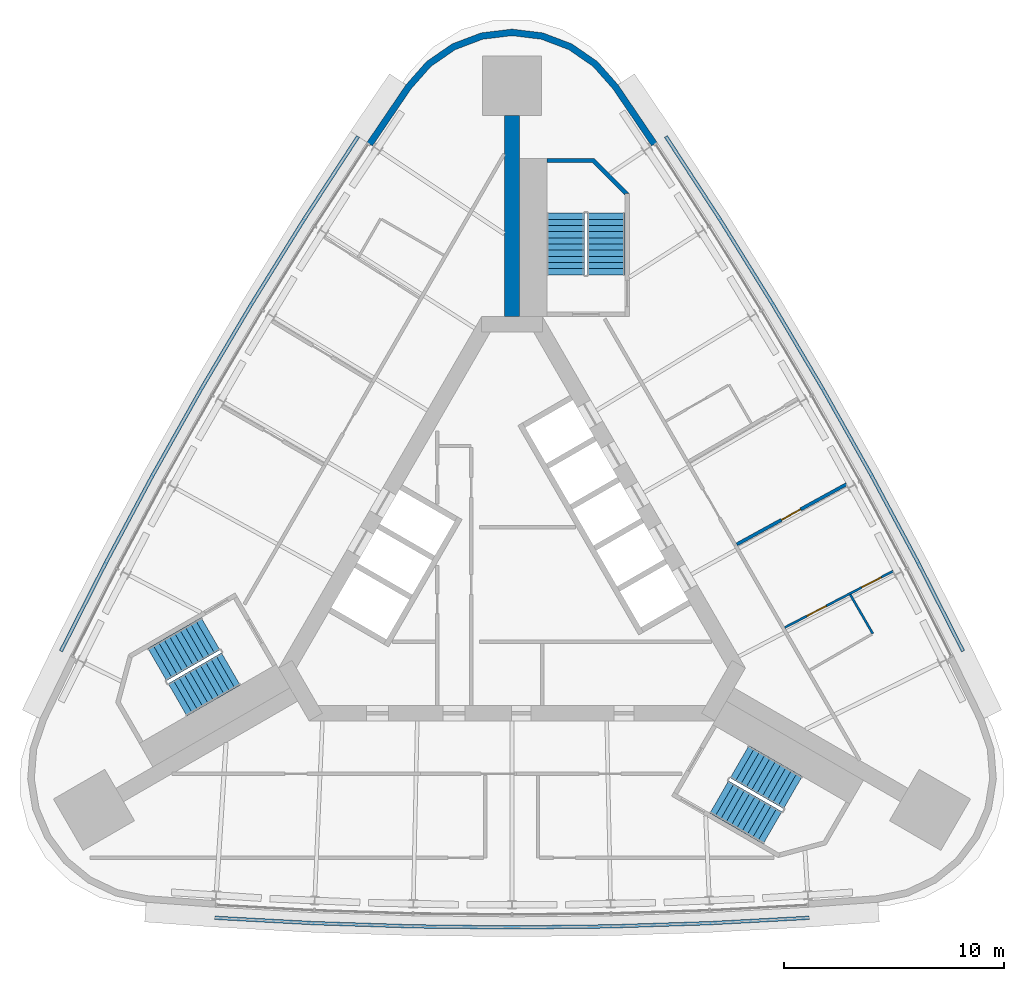
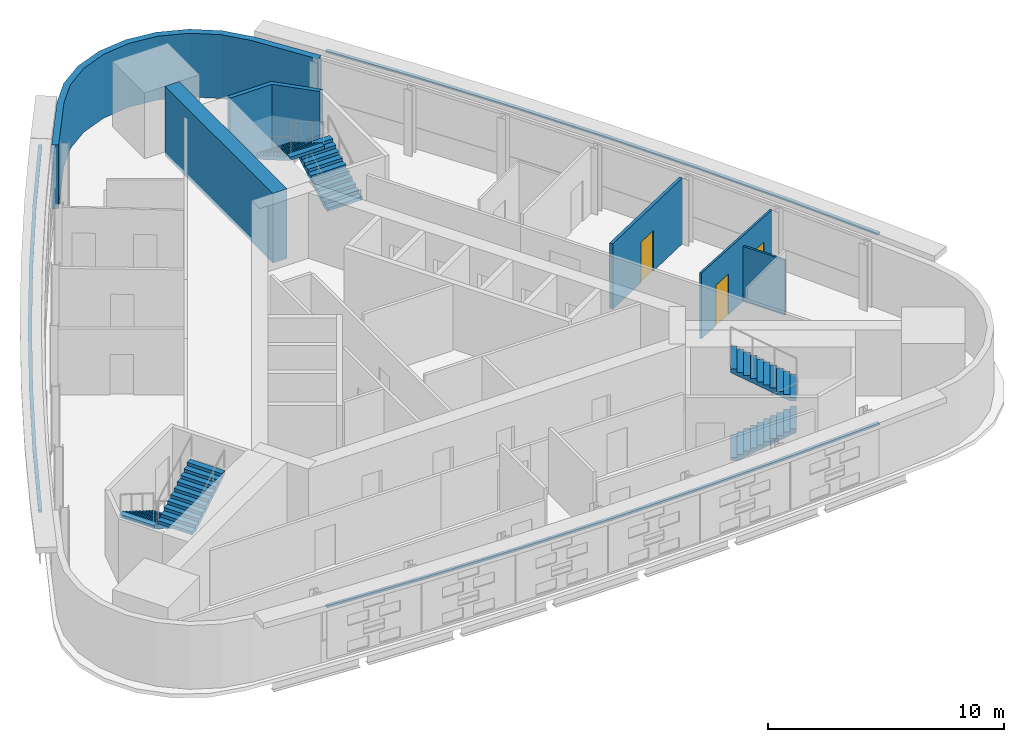
# One storey, part 9 of 10: 6 stair flights, 6 walls, 3 discrete accessories, 3 doors, 3 openings, 3 elements without a shape of their own.
"""IFC4 building model written with IfcOpenShell, lengths in metres."""

from ifc_helpers import new_model, si_unit, direction, frame, frame_2d, origin, place, context, subcontext, project, spatial, polyline, rectangle, outline, extrude, material, layer, layer_set, type_object, element, fill, aggregate, save


model = new_model("IFC4")

# Units and contexts
model_context = context("Model", 3, precision=1e-05, world=origin(), true_north=direction((0.0, 1.0)))
body_context = subcontext(model_context, "Body", "Model", "MODEL_VIEW")
ifc_project = project(units=[si_unit("LENGTHUNIT", "METRE"), si_unit("AREAUNIT", "SQUARE_METRE"), si_unit("VOLUMEUNIT", "CUBIC_METRE"), si_unit("PLANEANGLEUNIT", "RADIAN"), si_unit("MASSUNIT", "GRAM", prefix="KILO")], contexts=[model_context])

# Site, building, storey
site_placement = place(None, origin())
site = spatial("IfcSite", under=ifc_project, at=site_placement, CompositionType="ELEMENT")
building_placement = place(site_placement, origin())
building = spatial("IfcBuilding", under=site, at=building_placement, Name="Noor Cloister Tower", CompositionType="ELEMENT")
storey_placement = place(building_placement, frame((0.0, 0.0, 192.300048828125)))
storey = spatial("IfcBuildingStorey", under=building, at=storey_placement, Name="L49", CompositionType="ELEMENT", Elevation=192.300048828125)

# Wall
ifc_material_1 = material(Name="Concrete C70/85", Category="concrete")
ifc_layer_1 = layer(ifc_material_1, 0.699951171875)
ifc_layer_set_1 = layer_set([ifc_layer_1], Name="Buttress wall 700 C70/85")
wall_type_1 = type_object("IfcWallType", Name="Buttress wall 700 C70/85", PredefinedType="SHEAR", material=ifc_layer_set_1)
wall_1_placement = place(storey_placement, frame((0.0, 11.456298828125, -0.199951171875), z_axis=(0.0, 0.0, 1.0), x_axis=(0.0, 1.0, 0.0)))
element("IfcWall", 1, at=wall_1_placement, inside=storey, type_object=wall_type_1, Name="Buttress wall N L49", PredefinedType="SHEAR", context=body_context, shape_type="SweptSolid", body=[
    extrude(rectangle(XDim=9.144775390625, YDim=0.699951171875, at=frame_2d((4.572265625, 0.0))), origin(), (0.0, 0.0, 1.0), 3.599853515625),
])

# Wall, opening, door
ifc_material_2 = material(Name="Gypsum board partition on steel studs, 150 mm", Category="steel")
ifc_layer_2 = layer(ifc_material_2, 0.14990234375)
ifc_layer_set_2 = layer_set([ifc_layer_2], Name="Flat wall 150")
wall_type_2 = type_object("IfcWallType", Name="Flat wall 150", PredefinedType="PARTITIONING", material=ifc_layer_set_2)
wall_2_placement = place(storey_placement, frame((15.215576171875, 3.83740234375, 0.0), z_axis=(0.0, 0.0, 1.0), x_axis=(-0.876645576733, -0.48113670905, 0.0)))
wall_2 = element("IfcWall", 2, at=wall_2_placement, inside=storey, type_object=wall_type_2, Name="Wall L49-W03", PredefinedType="PARTITIONING", context=body_context, shape_type="SweptSolid", body=[
    extrude(rectangle(XDim=5.69384765625, YDim=0.14990234375, at=frame_2d((2.846923828125, 0.0))), origin(), (0.0, 0.0, 1.0), 3.39990234375),
])
opening_1_placement = place(wall_2_placement, frame((2.384521484375, 0.0, 0.0)))
opening_1 = element("IfcOpeningElement", 3, at=opening_1_placement, cuts=wall_2, Name="Opening L49-004", PredefinedType="OPENING", context=body_context, shape_type="SweptSolid", body=[
    extrude(rectangle(XDim=1.0, YDim=2.10009765625, at=frame_2d((0.5, 1.050048828125))), frame((0.0, 0.0849609375, 0.0), z_axis=(0.0, -1.0, 0.0), x_axis=(1.0, 0.0, 0.0)), (0.0, 0.0, 1.0), 0.169921875),
])
ifc_material_3 = material(Name="Timber door leaf with steel frame", Category="steel")
door_type_1 = type_object("IfcDoorType", Name="Flat entrance door 1000", OperationType="NOTDEFINED", PredefinedType="DOOR", material=ifc_material_3)
door_1_placement = place(opening_1_placement, origin())
door_1 = element("IfcDoor", 4, at=door_1_placement, inside=storey, type_object=door_type_1, Name="Door L49-004", OperationType="SINGLE_SWING_RIGHT", OverallHeight=2.10009765625, OverallWidth=1.0, PredefinedType="DOOR", context=body_context, shape_type="SweptSolid", body=[
    extrude(rectangle(XDim=1.0, YDim=2.10009765625, at=frame_2d((0.5, 1.050048828125))), frame((0.0, 0.02490234375, 0.0), z_axis=(0.0, -1.0, 0.0), x_axis=(1.0, 0.0, 0.0)), (0.0, 0.0, 1.0), 0.050048828125),
])
fill(opening_1, door_1)

# Wall
ifc_material_4 = material(Name="Limestone", Category="masonry")
ifc_layer_3 = layer(ifc_material_4, 0.300048828125)
ifc_layer_set_3 = layer_set([ifc_layer_3], Name="Limestone cladding 300")
wall_type_3 = type_object("IfcWallType", Name="Limestone cladding 300", PredefinedType="NOTDEFINED", material=ifc_layer_set_3)
wall_3_placement = place(storey_placement, origin())
element("IfcWall", 5, at=wall_3_placement, inside=storey, type_object=wall_type_3, Name="Limestone pier cladding L49 3.1", PredefinedType="NOTDEFINED", context=body_context, shape_type="SweptSolid", body=[
    extrude(outline(polyline([(6.59521484375, 19.38525390625), (4.82177734375, 21.9990234375), (3.88525390625, 23.056884765625), (2.72314453125, 23.859619140625), (1.40234375, 24.36083984375), (0.0, 24.531005859375), (-1.40234375, 24.36083984375), (-2.72314453125, 23.859619140625), (-3.88525390625, 23.056884765625), (-4.82177734375, 21.9990234375), (-6.59521484375, 19.38525390625), (-6.346923828125, 19.216796875), (-4.584228515625, 21.814697265625), (-3.684814453125, 22.830810546875), (-2.58251953125, 23.592041015625), (-1.329833984375, 24.0673828125), (0.0, 24.22900390625), (1.329833984375, 24.0673828125), (2.58251953125, 23.592041015625), (3.684814453125, 22.830810546875), (4.584228515625, 21.814697265625), (6.346923828125, 19.216796875), (6.59521484375, 19.38525390625)])), origin(), (0.0, 0.0, 1.0), 3.300048828125),
])

# Wall, openings, doors
ifc_material_5 = material(Name="Gypsum board partition on steel studs, 100 mm", Category="steel")
ifc_layer_4 = layer(ifc_material_5, 0.10009765625)
ifc_layer_set_4 = layer_set([ifc_layer_4], Name="Partition 100")
wall_type_4 = type_object("IfcWallType", Name="Partition 100", PredefinedType="PARTITIONING", material=ifc_layer_set_4)
wall_4_placement = place(storey_placement, frame((17.33447265625, -0.115234375, 0.0), z_axis=(0.0, 0.0, 1.0), x_axis=(-0.886851071155, -0.462055383684, 0.0)))
wall_4 = element("IfcWall", 6, at=wall_4_placement, inside=storey, type_object=wall_type_4, Name="Wall L49-W06", PredefinedType="PARTITIONING", context=body_context, shape_type="SweptSolid", body=[
    extrude(rectangle(XDim=5.556396484375, YDim=0.10009765625, at=frame_2d((2.7783203125, 0.0))), origin(), (0.0, 0.0, 1.0), 3.39990234375),
])
opening_2_placement = place(wall_4_placement, frame((0.6142578125, 0.0, 0.0)))
opening_2 = element("IfcOpeningElement", 7, at=opening_2_placement, cuts=wall_4, Name="Opening L49-002", PredefinedType="OPENING", context=body_context, shape_type="SweptSolid", body=[
    extrude(rectangle(XDim=1.0, YDim=2.10009765625, at=frame_2d((0.5, 1.050048828125))), frame((0.0, 0.06005859375, 0.0), z_axis=(0.0, -1.0, 0.0), x_axis=(1.0, 0.0, 0.0)), (0.0, 0.0, 1.0), 0.1201171875),
])
opening_3_placement = place(wall_4_placement, frame((3.429931640625, 0.0, 0.0)))
opening_3 = element("IfcOpeningElement", 8, at=opening_3_placement, cuts=wall_4, Name="Opening L49-003", PredefinedType="OPENING", context=body_context, shape_type="SweptSolid", body=[
    extrude(rectangle(XDim=1.0, YDim=2.10009765625, at=frame_2d((0.5, 1.050048828125))), frame((0.0, 0.06005859375, 0.0), z_axis=(0.0, -1.0, 0.0), x_axis=(1.0, 0.0, 0.0)), (0.0, 0.0, 1.0), 0.1201171875),
])
ifc_material_6 = material(Name="Timber door leaf with steel frame", Category="steel")
door_type_2 = type_object("IfcDoorType", Name="Interior door 1000", OperationType="NOTDEFINED", PredefinedType="DOOR", material=ifc_material_6)
door_2_placement = place(opening_2_placement, origin())
door_2 = element("IfcDoor", 9, at=door_2_placement, inside=storey, type_object=door_type_2, Name="Door L49-002", OperationType="SINGLE_SWING_RIGHT", OverallHeight=2.10009765625, OverallWidth=1.0, PredefinedType="DOOR", context=body_context, shape_type="SweptSolid", body=[
    extrude(rectangle(XDim=1.0, YDim=2.10009765625, at=frame_2d((0.5, 1.050048828125))), frame((0.0, 0.02490234375, 0.0), z_axis=(0.0, -1.0, 0.0), x_axis=(1.0, 0.0, 0.0)), (0.0, 0.0, 1.0), 0.050048828125),
])
fill(opening_2, door_2)
door_3_placement = place(opening_3_placement, origin())
door_3 = element("IfcDoor", 10, at=door_3_placement, inside=storey, type_object=door_type_2, Name="Door L49-003", OperationType="SINGLE_SWING_LEFT", OverallHeight=2.10009765625, OverallWidth=1.0, PredefinedType="DOOR", context=body_context, shape_type="SweptSolid", body=[
    extrude(rectangle(XDim=1.0, YDim=2.10009765625, at=frame_2d((0.5, 1.050048828125))), frame((0.0, 0.02490234375, 0.0), z_axis=(0.0, -1.0, 0.0), x_axis=(1.0, 0.0, 0.0)), (0.0, 0.0, 1.0), 0.050048828125),
])
fill(opening_3, door_3)

# Walls
wall_5_placement = place(storey_placement, frame((15.38330078125, -1.188232421875, 0.0), z_axis=(0.0, 0.0, 1.0), x_axis=(0.500007699544, -0.866020958405, 0.0)))
element("IfcWall", 11, at=wall_5_placement, inside=storey, type_object=wall_type_4, Name="Wall L49-W07", PredefinedType="PARTITIONING", context=body_context, shape_type="SweptSolid", body=[
    extrude(rectangle(XDim=2.0498046875, YDim=0.10009765625, at=frame_2d((1.02490234375, 0.0))), origin(), (0.0, 0.0, 1.0), 2.85205078125),
])
ifc_material_7 = material(Name="Concrete C70/85", Category="concrete")
wall_type_5 = type_object("IfcWallType", Name="Stair far end wall C70/85", PredefinedType="SHEAR", material=ifc_material_7)
wall_6_placement = place(storey_placement, frame((0.0, 0.0, -0.199951171875)))
element("IfcWall", 12, at=wall_6_placement, inside=storey, type_object=wall_type_5, Name="Stair enclosure wall ST1 L49 far end", PredefinedType="SHEAR", context=body_context, shape_type="SweptSolid", body=[
    extrude(outline(polyline([(5.335693359375, 17.056396484375), (3.735595703125, 18.656494140625), (1.585693359375, 18.656494140625), (1.585693359375, 18.456298828125), (3.65283203125, 18.456298828125), (5.135498046875, 16.9736328125), (5.135498046875, 17.056396484375), (5.135498046875, 17.056396484375), (5.135498046875, 17.056396484375), (5.135498046875, 17.056396484375), (5.135498046875, 17.056396484375), (5.135498046875, 17.056396484375), (5.135498046875, 17.056396484375), (5.135498046875, 17.056396484375), (5.135498046875, 17.056396484375), (5.135498046875, 17.056396484375), (5.135498046875, 17.056396484375), (5.135498046875, 17.056396484375), (5.135498046875, 17.056396484375), (5.135498046875, 17.056396484375), (5.135498046875, 17.056396484375), (5.135498046875, 17.056396484375), (5.135498046875, 17.056396484375), (5.335693359375, 17.056396484375)])), origin(), (0.0, 0.0, 1.0), 3.599853515625),
])

# Stair, stair flights
ifc_material_8 = material(Name="Concrete C40/50", Category="concrete")
stair_type = type_object("IfcStairType", Name="Exit stair 22 risers", PredefinedType="HALF_TURN_STAIR", material=ifc_material_8)
stair_1_placement = place(storey_placement, origin())
stair_1 = element("IfcStair", 13, at=stair_1_placement, inside=storey, type_object=stair_type, Name="Exit stair ST1 L49", PredefinedType="HALF_TURN_STAIR")
ifc_material_9 = material(Name="Concrete C40/50", Category="concrete")
stair_flight_type = type_object("IfcStairFlightType", Name="Exit stair flight", PredefinedType="STRAIGHT", material=ifc_material_9)
stair_flight_1_placement = place(storey_placement, frame((4.28564453125, 13.3564453125, 0.0), z_axis=(0.0, 0.0, 1.0), x_axis=(0.0, 1.0, 0.0)))
stair_flight_1 = element("IfcStairFlight", 14, at=stair_flight_1_placement, type_object=stair_flight_type, Name="ST1 flight 1", NumberOfRisers=11, NumberOfTreads=10, PredefinedType="STRAIGHT", RiserHeight=0.163636364, TreadLength=0.28, context=body_context, shape_type="SweptSolid", body=[
    extrude(outline(polyline([(0.0, 0.0), (0.0, 0.16357421875), (0.280029296875, 0.16357421875), (0.280029296875, 0.327392578125), (0.56005859375, 0.327392578125), (0.56005859375, 0.490966796875), (0.840087890625, 0.490966796875), (0.840087890625, 0.654541015625), (1.1201171875, 0.654541015625), (1.1201171875, 0.818115234375), (1.39990234375, 0.818115234375), (1.39990234375, 0.98193359375), (1.679931640625, 0.98193359375), (1.679931640625, 1.1455078125), (1.9599609375, 1.1455078125), (1.9599609375, 1.30908203125), (2.239990234375, 1.30908203125), (2.239990234375, 1.47265625), (2.52001953125, 1.47265625), (2.52001953125, 1.636474609375), (2.800048828125, 1.636474609375), (2.800048828125, 1.800048828125), (2.800048828125, 1.462646484375), (0.297119140625, 0.0), (0.0, 0.0)])), frame((0.0, 0.85009765625, 0.0), z_axis=(0.0, -1.0, 0.0), x_axis=(1.0, 0.0, 0.0)), (0.0, 0.0, 1.0), 1.699951171875),
])
stair_flight_2_placement = place(storey_placement, frame((2.435546875, 16.156494140625, 1.800048828125), z_axis=(0.0, 0.0, 1.0), x_axis=(0.0, -1.0, 0.0)))
stair_flight_2 = element("IfcStairFlight", 15, at=stair_flight_2_placement, type_object=stair_flight_type, Name="ST1 flight 2", NumberOfRisers=11, NumberOfTreads=10, PredefinedType="STRAIGHT", RiserHeight=0.163636364, TreadLength=0.28, context=body_context, shape_type="SweptSolid", body=[
    extrude(outline(polyline([(0.0, 0.0), (0.0, 0.16357421875), (0.280029296875, 0.16357421875), (0.280029296875, 0.327392578125), (0.56005859375, 0.327392578125), (0.56005859375, 0.490966796875), (0.840087890625, 0.490966796875), (0.840087890625, 0.654541015625), (1.1201171875, 0.654541015625), (1.1201171875, 0.818115234375), (1.39990234375, 0.818115234375), (1.39990234375, 0.98193359375), (1.679931640625, 0.98193359375), (1.679931640625, 1.1455078125), (1.9599609375, 1.1455078125), (1.9599609375, 1.30908203125), (2.239990234375, 1.30908203125), (2.239990234375, 1.47265625), (2.52001953125, 1.47265625), (2.52001953125, 1.636474609375), (2.800048828125, 1.636474609375), (2.800048828125, 1.800048828125), (2.800048828125, 1.462646484375), (0.297119140625, 0.0), (0.0, 0.0)])), frame((0.0, 0.85009765625, 0.0), z_axis=(0.0, -1.0, 0.0), x_axis=(1.0, 0.0, 0.0)), (0.0, 0.0, 1.0), 1.699951171875),
])
aggregate(stair_1, [stair_flight_1, stair_flight_2])

stair_2_placement = place(storey_placement, origin())
stair_2 = element("IfcStair", 16, at=stair_2_placement, inside=storey, type_object=stair_type, Name="Exit stair ST2 L49", PredefinedType="HALF_TURN_STAIR")
stair_flight_3_placement = place(storey_placement, frame((-13.709716796875, -2.966796875, 0.0), z_axis=(0.0, 0.0, 1.0), x_axis=(-0.866025403784, -0.5, 0.0)))
stair_flight_3 = element("IfcStairFlight", 17, at=stair_flight_3_placement, type_object=stair_flight_type, Name="ST2 flight 1", NumberOfRisers=11, NumberOfTreads=10, PredefinedType="STRAIGHT", RiserHeight=0.163636364, TreadLength=0.28, context=body_context, shape_type="SweptSolid", body=[
    extrude(outline(polyline([(0.0, 0.0), (0.0, 0.16357421875), (0.280029296875, 0.16357421875), (0.280029296875, 0.327392578125), (0.56005859375, 0.327392578125), (0.56005859375, 0.490966796875), (0.840087890625, 0.490966796875), (0.840087890625, 0.654541015625), (1.1201171875, 0.654541015625), (1.1201171875, 0.818115234375), (1.39990234375, 0.818115234375), (1.39990234375, 0.98193359375), (1.679931640625, 0.98193359375), (1.679931640625, 1.1455078125), (1.9599609375, 1.1455078125), (1.9599609375, 1.30908203125), (2.239990234375, 1.30908203125), (2.239990234375, 1.47265625), (2.52001953125, 1.47265625), (2.52001953125, 1.636474609375), (2.800048828125, 1.636474609375), (2.800048828125, 1.800048828125), (2.800048828125, 1.462646484375), (0.297119140625, 0.0), (0.0, 0.0)])), frame((0.0, 0.85009765625, 0.0), z_axis=(0.0, -1.0, 0.0), x_axis=(1.0, 0.0, 0.0)), (0.0, 0.0, 1.0), 1.699951171875),
])
stair_flight_4_placement = place(storey_placement, frame((-15.209716796875, -5.968994140625, 1.800048828125), z_axis=(0.0, 0.0, 1.0), x_axis=(0.866025403784, 0.5, 0.0)))
stair_flight_4 = element("IfcStairFlight", 18, at=stair_flight_4_placement, type_object=stair_flight_type, Name="ST2 flight 2", NumberOfRisers=11, NumberOfTreads=10, PredefinedType="STRAIGHT", RiserHeight=0.163636364, TreadLength=0.28, context=body_context, shape_type="SweptSolid", body=[
    extrude(outline(polyline([(0.0, 0.0), (0.0, 0.16357421875), (0.280029296875, 0.16357421875), (0.280029296875, 0.327392578125), (0.56005859375, 0.327392578125), (0.56005859375, 0.490966796875), (0.840087890625, 0.490966796875), (0.840087890625, 0.654541015625), (1.1201171875, 0.654541015625), (1.1201171875, 0.818115234375), (1.39990234375, 0.818115234375), (1.39990234375, 0.98193359375), (1.679931640625, 0.98193359375), (1.679931640625, 1.1455078125), (1.9599609375, 1.1455078125), (1.9599609375, 1.30908203125), (2.239990234375, 1.30908203125), (2.239990234375, 1.47265625), (2.52001953125, 1.47265625), (2.52001953125, 1.636474609375), (2.800048828125, 1.636474609375), (2.800048828125, 1.800048828125), (2.800048828125, 1.462646484375), (0.297119140625, 0.0), (0.0, 0.0)])), frame((0.0, 0.85009765625, 0.0), z_axis=(0.0, -1.0, 0.0), x_axis=(1.0, 0.0, 0.0)), (0.0, 0.0, 1.0), 1.699951171875),
])
aggregate(stair_2, [stair_flight_3, stair_flight_4])

stair_3_placement = place(storey_placement, origin())
stair_3 = element("IfcStair", 19, at=stair_3_placement, inside=storey, type_object=stair_type, Name="Exit stair ST3 L49", PredefinedType="HALF_TURN_STAIR")
stair_flight_5_placement = place(storey_placement, frame((9.424072265625, -10.3896484375, 0.0), z_axis=(0.0, 0.0, 1.0), x_axis=(0.866025403784, -0.5, 0.0)))
stair_flight_5 = element("IfcStairFlight", 20, at=stair_flight_5_placement, type_object=stair_flight_type, Name="ST3 flight 1", NumberOfRisers=11, NumberOfTreads=10, PredefinedType="STRAIGHT", RiserHeight=0.163636364, TreadLength=0.28, context=body_context, shape_type="SweptSolid", body=[
    extrude(outline(polyline([(0.0, 0.0), (0.0, 0.16357421875), (0.280029296875, 0.16357421875), (0.280029296875, 0.327392578125), (0.56005859375, 0.327392578125), (0.56005859375, 0.490966796875), (0.840087890625, 0.490966796875), (0.840087890625, 0.654541015625), (1.1201171875, 0.654541015625), (1.1201171875, 0.818115234375), (1.39990234375, 0.818115234375), (1.39990234375, 0.98193359375), (1.679931640625, 0.98193359375), (1.679931640625, 1.1455078125), (1.9599609375, 1.1455078125), (1.9599609375, 1.30908203125), (2.239990234375, 1.30908203125), (2.239990234375, 1.47265625), (2.52001953125, 1.47265625), (2.52001953125, 1.636474609375), (2.800048828125, 1.636474609375), (2.800048828125, 1.800048828125), (2.800048828125, 1.462646484375), (0.297119140625, 0.0), (0.0, 0.0)])), frame((0.0, 0.85009765625, 0.0), z_axis=(0.0, -1.0, 0.0), x_axis=(1.0, 0.0, 0.0)), (0.0, 0.0, 1.0), 1.699951171875),
])
stair_flight_6_placement = place(storey_placement, frame((12.77392578125, -10.1875, 1.800048828125), z_axis=(0.0, 0.0, 1.0), x_axis=(-0.866025403784, 0.5, 0.0)))
stair_flight_6 = element("IfcStairFlight", 21, at=stair_flight_6_placement, type_object=stair_flight_type, Name="ST3 flight 2", NumberOfRisers=11, NumberOfTreads=10, PredefinedType="STRAIGHT", RiserHeight=0.163636364, TreadLength=0.28, context=body_context, shape_type="SweptSolid", body=[
    extrude(outline(polyline([(0.0, 0.0), (0.0, 0.16357421875), (0.280029296875, 0.16357421875), (0.280029296875, 0.327392578125), (0.56005859375, 0.327392578125), (0.56005859375, 0.490966796875), (0.840087890625, 0.490966796875), (0.840087890625, 0.654541015625), (1.1201171875, 0.654541015625), (1.1201171875, 0.818115234375), (1.39990234375, 0.818115234375), (1.39990234375, 0.98193359375), (1.679931640625, 0.98193359375), (1.679931640625, 1.1455078125), (1.9599609375, 1.1455078125), (1.9599609375, 1.30908203125), (2.239990234375, 1.30908203125), (2.239990234375, 1.47265625), (2.52001953125, 1.47265625), (2.52001953125, 1.636474609375), (2.800048828125, 1.636474609375), (2.800048828125, 1.800048828125), (2.800048828125, 1.462646484375), (0.297119140625, 0.0), (0.0, 0.0)])), frame((0.0, 0.85009765625, 0.0), z_axis=(0.0, -1.0, 0.0), x_axis=(1.0, 0.0, 0.0)), (0.0, 0.0, 1.0), 1.699951171875),
])
aggregate(stair_3, [stair_flight_5, stair_flight_6])

# Discrete accessories
ifc_material_10 = material(Name="Stainless steel grade 316", Category="steel")
discrete_accessory_type = type_object("IfcDiscreteAccessoryType", Name="Stainless hanger rail", PredefinedType="BRACKET", material=ifc_material_10)
discrete_accessory_1_placement = place(storey_placement, frame((0.0, 0.0, 3.199951171875)))
element("IfcDiscreteAccessory", 22, at=discrete_accessory_1_placement, inside=storey, type_object=discrete_accessory_type, Name="Hanger rail L49", PredefinedType="BRACKET", context=body_context, shape_type="SweptSolid", body=[
    extrude(outline(polyline([(-7.064208984375, 19.69091796875), (-9.52490234375, 15.916259765625), (-11.906494140625, 12.083984375), (-14.204833984375, 8.201171875), (-16.41845703125, 4.269287109375), (-18.54638671875, 0.290771484375), (-20.5849609375, -3.727783203125), (-20.4423828125, -3.800048828125), (-18.404541015625, 0.216796875), (-16.278076171875, 4.1923828125), (-14.066162109375, 8.12109375), (-11.769775390625, 12.0009765625), (-9.389892578125, 15.830322265625), (-6.93017578125, 19.603759765625), (-7.064208984375, 19.69091796875)])), origin(), (0.0, 0.0, 1.0), 0.10009765625),
])
discrete_accessory_2_placement = place(storey_placement, frame((0.0, 0.0, 3.199951171875)))
element("IfcDiscreteAccessory", 23, at=discrete_accessory_2_placement, inside=storey, type_object=discrete_accessory_type, Name="Hanger rail L49", PredefinedType="BRACKET", context=body_context, shape_type="SweptSolid", body=[
    extrude(outline(polyline([(-13.520751953125, -15.96337890625), (-9.021484375, -16.20703125), (-4.51171875, -16.353515625), (0.0, -16.40234375), (4.51171875, -16.353515625), (9.021484375, -16.20703125), (13.520751953125, -15.96337890625), (13.51220703125, -15.803466796875), (9.014404296875, -16.047119140625), (4.50830078125, -16.193359375), (0.0, -16.2421875), (-4.50830078125, -16.193359375), (-9.014404296875, -16.047119140625), (-13.51220703125, -15.803466796875), (-13.520751953125, -15.96337890625)])), origin(), (0.0, 0.0, 1.0), 0.10009765625),
])
discrete_accessory_3_placement = place(storey_placement, frame((0.0, 0.0, 3.199951171875)))
element("IfcDiscreteAccessory", 24, at=discrete_accessory_3_placement, inside=storey, type_object=discrete_accessory_type, Name="Hanger rail L49", PredefinedType="BRACKET", context=body_context, shape_type="SweptSolid", body=[
    extrude(outline(polyline([(20.5849609375, -3.727783203125), (18.54638671875, 0.290771484375), (16.41845703125, 4.269287109375), (14.204833984375, 8.201171875), (11.906494140625, 12.083984375), (9.52490234375, 15.916259765625), (7.064208984375, 19.69091796875), (6.93017578125, 19.603759765625), (9.389892578125, 15.830322265625), (11.769775390625, 12.0009765625), (14.066162109375, 8.12109375), (16.278076171875, 4.1923828125), (18.404541015625, 0.216796875), (20.4423828125, -3.800048828125), (20.5849609375, -3.727783203125)])), origin(), (0.0, 0.0, 1.0), 0.10009765625),
])

save(model, "model.ifc")
